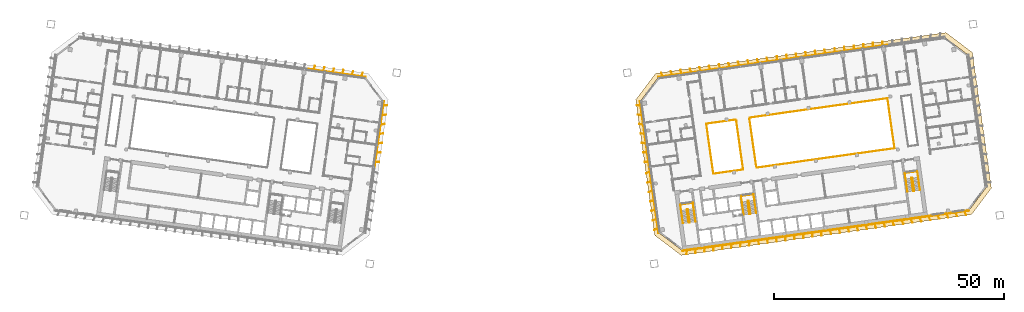
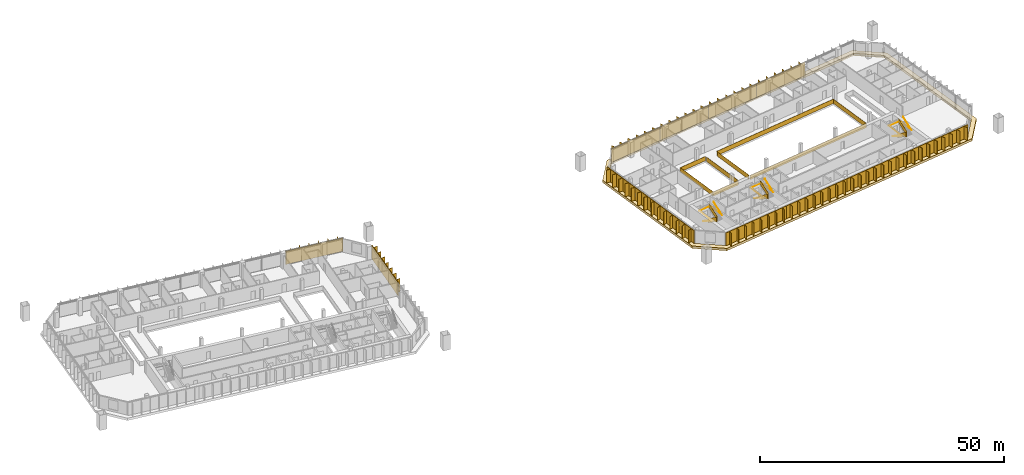
# One storey, part 25 of 26: 12 shading devices, 10 railings, 1 covering.
"""IFC4 building model written with IfcOpenShell, lengths in metres."""

from ifc_helpers import new_model, si_unit, direction, frame, origin, origin_2d, place, context, subcontext, project, spatial, polyline, rectangle, outline, extrude, material, layer, layer_set, type_object, element, save


model = new_model("IFC4")

# Units and contexts
model_context = context("Model", 3, precision=1e-05, world=origin(), true_north=direction((0.0, 1.0)))
body_context = subcontext(model_context, "Body", "Model", "MODEL_VIEW")
ifc_project = project(units=[si_unit("LENGTHUNIT", "METRE"), si_unit("AREAUNIT", "SQUARE_METRE"), si_unit("VOLUMEUNIT", "CUBIC_METRE"), si_unit("PLANEANGLEUNIT", "RADIAN"), si_unit("MASSUNIT", "GRAM", prefix="KILO")], contexts=[model_context])

# Site, building, storey
site_placement = place(None, origin())
site = spatial("IfcSite", under=ifc_project, at=site_placement, CompositionType="ELEMENT")
building_placement = place(site_placement, origin())
building = spatial("IfcBuilding", under=site, at=building_placement, Name="Mirante Cascada Hotel Towers", CompositionType="ELEMENT")
storey_placement = place(building_placement, frame((0.0, 0.0, 113.9)))
storey = spatial("IfcBuildingStorey", under=building, at=storey_placement, Name="L25", CompositionType="ELEMENT", Elevation=113.9)

# Railings
ifc_material_1 = material(Name="Toughened glass with stainless steel handrail", Category="steel")
railing_type_1 = type_object("IfcRailingType", Name="Atrium guard 1100 glass balustrade", PredefinedType="GUARDRAIL", material=ifc_material_1)
railing_1_placement = place(storey_placement, frame((48.76, 8.3112, 0.0)))
element("IfcRailing", 1, at=railing_1_placement, inside=storey, type_object=railing_type_1, Name="GUARD 2-L25-1", PredefinedType="GUARDRAIL", context=body_context, shape_type="SweptSolid", body=[
    extrude(rectangle(XDim=0.048, YDim=0.048, at=origin_2d()), frame((0.0, 0.0, 1.076), z_axis=(-0.9902694, -0.1391638, 0.0), x_axis=(0.1391638, -0.9902694, 0.0)), (0.0, 0.0, 1.0), 6.5125),
    extrude(rectangle(XDim=0.02, YDim=1.052, at=origin_2d()), frame((0.0, 0.0, 0.526), z_axis=(-0.9902694, -0.1391638, 0.0), x_axis=(0.1391638, -0.9902694, 0.0)), (0.0, 0.0, 1.0), 6.5125),
    extrude(rectangle(XDim=0.048, YDim=0.048, at=origin_2d()), frame((-6.4491, -0.9063, 1.076), z_axis=(0.1391721, -0.9902682, 0.0), x_axis=(0.9902682, 0.1391721, 0.0)), (0.0, 0.0, 1.0), 11.0001),
    extrude(rectangle(XDim=0.02, YDim=1.052, at=origin_2d()), frame((-6.4491, -0.9063, 0.526), z_axis=(0.1391721, -0.9902682, 0.0), x_axis=(0.9902682, 0.1391721, 0.0)), (0.0, 0.0, 1.0), 11.0001),
    extrude(rectangle(XDim=0.048, YDim=0.048, at=origin_2d()), frame((-4.9182, -11.7993, 1.076), z_axis=(0.9902673, 0.1391788, 0.0), x_axis=(-0.1391788, 0.9902673, 0.0)), (0.0, 0.0, 1.0), 6.5125),
    extrude(rectangle(XDim=0.02, YDim=1.052, at=origin_2d()), frame((-4.9182, -11.7993, 0.526), z_axis=(0.9902673, 0.1391788, 0.0), x_axis=(-0.1391788, 0.9902673, 0.0)), (0.0, 0.0, 1.0), 6.5125),
])
railing_2_placement = place(storey_placement, frame((53.2617, -2.1642, 0.0)))
element("IfcRailing", 2, at=railing_2_placement, inside=storey, type_object=railing_type_1, Name="GUARD 2-L25-2", PredefinedType="GUARDRAIL", context=body_context, shape_type="SweptSolid", body=[
    extrude(rectangle(XDim=0.048, YDim=0.048, at=origin_2d()), frame((0.0, 0.0, 1.076), z_axis=(0.9902682, 0.1391722, 0.0), x_axis=(-0.1391722, 0.9902682, 0.0)), (0.0, 0.0, 1.0), 30.325),
    extrude(rectangle(XDim=0.02, YDim=1.052, at=origin_2d()), frame((0.0, 0.0, 0.526), z_axis=(0.9902682, 0.1391722, 0.0), x_axis=(-0.1391722, 0.9902682, 0.0)), (0.0, 0.0, 1.0), 30.325),
    extrude(rectangle(XDim=0.048, YDim=0.048, at=origin_2d()), frame((30.0299, 4.2204, 1.076), z_axis=(-0.1391721, 0.9902682, 0.0), x_axis=(-0.9902682, -0.1391721, 0.0)), (0.0, 0.0, 1.0), 11.0001),
    extrude(rectangle(XDim=0.02, YDim=1.052, at=origin_2d()), frame((30.0299, 4.2204, 0.526), z_axis=(-0.1391721, 0.9902682, 0.0), x_axis=(-0.9902682, -0.1391721, 0.0)), (0.0, 0.0, 1.0), 11.0001),
    extrude(rectangle(XDim=0.048, YDim=0.048, at=origin_2d()), frame((28.499, 15.1134, 1.076), z_axis=(-0.9902682, -0.1391722, 0.0), x_axis=(0.1391722, -0.9902682, 0.0)), (0.0, 0.0, 1.0), 30.325),
    extrude(rectangle(XDim=0.02, YDim=1.052, at=origin_2d()), frame((28.499, 15.1134, 0.526), z_axis=(-0.9902682, -0.1391722, 0.0), x_axis=(0.1391722, -0.9902682, 0.0)), (0.0, 0.0, 1.0), 30.325),
])
railing_3_placement = place(storey_placement, frame((50.2983, -2.2822, 0.0)))
element("IfcRailing", 3, at=railing_3_placement, inside=storey, type_object=railing_type_1, Name="GUARD 2-L25-4", PredefinedType="GUARDRAIL", context=body_context, shape_type="SweptSolid", body=[
    extrude(rectangle(XDim=0.048, YDim=0.048, at=origin_2d()), frame((0.0, 0.0, 1.076), z_axis=(-0.1391708, 0.9902684, 0.0), x_axis=(-0.9902684, -0.1391708, 0.0)), (0.0, 0.0, 1.0), 10.4088),
    extrude(rectangle(XDim=0.02, YDim=1.052, at=origin_2d()), frame((0.0, 0.0, 0.526), z_axis=(-0.1391708, 0.9902684, 0.0), x_axis=(-0.9902684, -0.1391708, 0.0)), (0.0, 0.0, 1.0), 10.4088),
])
railing_4_placement = place(storey_placement, frame((51.7234, 8.4292, 0.0)))
element("IfcRailing", 4, at=railing_4_placement, inside=storey, type_object=railing_type_1, Name="GUARD 2-L25-5", PredefinedType="GUARDRAIL", context=body_context, shape_type="SweptSolid", body=[
    extrude(rectangle(XDim=0.048, YDim=0.048, at=origin_2d()), frame((0.0, 0.0, 1.076), z_axis=(0.1391721, -0.9902682, 0.0), x_axis=(0.9902682, 0.1391721, 0.0)), (0.0, 0.0, 1.0), 10.4087),
    extrude(rectangle(XDim=0.02, YDim=1.052, at=origin_2d()), frame((0.0, 0.0, 0.526), z_axis=(0.1391721, -0.9902682, 0.0), x_axis=(0.9902682, 0.1391721, 0.0)), (0.0, 0.0, 1.0), 10.4087),
])

# Covering
ifc_material_2 = material(Name="Precast concrete C40/50 white", Category="concrete")
ifc_layer = layer(ifc_material_2, 0.6)
ifc_layer_set = layer_set([ifc_layer], Name="Precast concrete SUNSHADE band 1000x600")
covering_type = type_object("IfcCoveringType", Name="Precast concrete SUNSHADE band 1000x600", PredefinedType="CLADDING", material=ifc_layer_set)
covering_placement = place(storey_placement, frame((0.0, 0.0, -0.45)))
element("IfcCovering", 5, at=covering_placement, inside=storey, type_object=covering_type, Name="Precast concrete SUNSHADE band T2 L25", PredefinedType="CLADDING", context=body_context, shape_type="SweptSolid", body=[
    extrude(outline(polyline([(26.9341, 12.6299), (31.2626, 18.374), (94.4698, 27.2572), (100.2139, 22.9287), (104.3652, -6.6094), (100.0367, -12.3535), (36.8295, -21.2367), (31.0854, -16.9082), (26.9341, 12.6299)]), holes=[polyline([(103.3173, -6.3384), (99.2813, 22.3794), (94.1988, 26.2093), (31.8119, 17.4414), (27.982, 12.3589), (32.018, -16.3589), (37.1005, -20.1888), (99.4874, -11.4209), (103.3173, -6.3384)])]), origin(), (0.0, 0.0, 1.0), 0.6),
])

# Railings
ifc_material_3 = material(Name="Painted steel", Category="steel")
railing_type_2 = type_object("IfcRailingType", Name="Stair guard 1100 steel balustrade", PredefinedType="GUARDRAIL", material=ifc_material_3)
railing_5_placement = place(storey_placement, frame((38.2663, -11.2395, 0.0)))
element("IfcRailing", 6, at=railing_5_placement, inside=storey, type_object=railing_type_2, Name="L25 ST2-A stair guard 1", PredefinedType="GUARDRAIL", context=body_context, shape_type="SweptSolid", body=[
    extrude(rectangle(XDim=0.048, YDim=0.048, at=origin_2d()), frame((0.0, 0.0, 1.076), z_axis=(-0.9903326, -0.1387133, 0.0), x_axis=(0.1387133, -0.9903326, 0.0)), (0.0, 0.0, 1.0), 0.1499),
    extrude(rectangle(XDim=0.02, YDim=1.052, at=origin_2d()), frame((0.0, 0.0, 0.526), z_axis=(-0.9903326, -0.1387133, 0.0), x_axis=(0.1387133, -0.9903326, 0.0)), (0.0, 0.0, 1.0), 0.1499),
    extrude(rectangle(XDim=0.048, YDim=0.048, at=origin_2d()), frame((-0.1485, -0.0208, 1.076), z_axis=(-0.6020331, -0.7984711, 0.0), x_axis=(0.7984711, -0.6020331, 0.0)), (0.0, 0.9253398, 0.3791387), 0.1866),
    extrude(rectangle(XDim=0.02, YDim=1.052, at=origin_2d()), frame((-0.1485, -0.0208, 0.526), z_axis=(-0.6020331, -0.7984711, 0.0), x_axis=(0.7984711, -0.6020331, 0.0)), (0.0, 0.9253398, 0.3791387), 0.1866),
    extrude(rectangle(XDim=0.048, YDim=0.048, at=origin_2d()), frame((-0.1911, -0.0773, 1.2487), z_axis=(0.139176, -0.9902677, 0.0), x_axis=(0.9902677, 0.139176, 0.0)), (0.0, 0.5250212, 0.8510891), 3.29),
    extrude(rectangle(XDim=0.02, YDim=1.052, at=origin_2d()), frame((-0.1911, -0.0773, 0.6987), z_axis=(0.139176, -0.9902677, 0.0), x_axis=(0.9902677, 0.139176, 0.0)), (0.0, 0.5250212, 0.8510891), 3.29),
    extrude(rectangle(XDim=0.048, YDim=0.048, at=origin_2d()), frame((0.1986, -2.8501, 2.976), z_axis=(0.9944948, -0.1047858, 0.0), x_axis=(0.1047858, 0.9944948, 0.0)), (0.0, 0.0, 1.0), 0.2061),
    extrude(rectangle(XDim=0.02, YDim=1.052, at=origin_2d()), frame((0.1986, -2.8501, 2.426), z_axis=(0.9944948, -0.1047858, 0.0), x_axis=(0.1047858, 0.9944948, 0.0)), (0.0, 0.0, 1.0), 0.2061),
    extrude(rectangle(XDim=0.048, YDim=0.048, at=origin_2d()), frame((0.4036, -2.8717, 2.976), z_axis=(-0.9902408, -0.1393672, 0.0), x_axis=(0.1393672, -0.9902408, 0.0)), (0.0, 0.0, 1.0), 0.15),
    extrude(rectangle(XDim=0.02, YDim=1.052, at=origin_2d()), frame((0.4036, -2.8717, 2.426), z_axis=(-0.9902408, -0.1393672, 0.0), x_axis=(0.1393672, -0.9902408, 0.0)), (0.0, 0.0, 1.0), 0.15),
    extrude(rectangle(XDim=0.048, YDim=0.048, at=origin_2d()), frame((0.2551, -2.8926, 2.976), z_axis=(0.9270311, 0.3749843, 0.0), x_axis=(-0.3749843, 0.9270311, 0.0)), (0.0, 0.6421903, 0.7665452), 0.2689),
    extrude(rectangle(XDim=0.02, YDim=1.052, at=origin_2d()), frame((0.2551, -2.8926, 2.426), z_axis=(0.9270311, 0.3749843, 0.0), x_axis=(-0.3749843, 0.9270311, 0.0)), (0.0, 0.6421903, 0.7665452), 0.2689),
    extrude(rectangle(XDim=0.048, YDim=0.048, at=origin_2d()), frame((0.4462, -2.8153, 3.1487), z_axis=(-0.139176, 0.9902677, 0.0), x_axis=(-0.9902677, -0.139176, 0.0)), (0.0, 0.5250212, 0.8510891), 3.29),
    extrude(rectangle(XDim=0.02, YDim=1.052, at=origin_2d()), frame((0.4462, -2.8153, 2.5987), z_axis=(-0.139176, 0.9902677, 0.0), x_axis=(-0.9902677, -0.139176, 0.0)), (0.0, 0.5250212, 0.8510891), 3.29),
])
railing_6_placement = place(storey_placement, frame((51.4864, -9.3815, 0.0)))
element("IfcRailing", 7, at=railing_6_placement, inside=storey, type_object=railing_type_2, Name="L25 ST2-B stair guard 1", PredefinedType="GUARDRAIL", context=body_context, shape_type="SweptSolid", body=[
    extrude(rectangle(XDim=0.048, YDim=0.048, at=origin_2d()), frame((0.0, 0.0, 1.076), z_axis=(-0.9902408, -0.1393672, 0.0), x_axis=(0.1393672, -0.9902408, 0.0)), (0.0, 0.0, 1.0), 0.15),
    extrude(rectangle(XDim=0.02, YDim=1.052, at=origin_2d()), frame((0.0, 0.0, 0.526), z_axis=(-0.9902408, -0.1393672, 0.0), x_axis=(0.1393672, -0.9902408, 0.0)), (0.0, 0.0, 1.0), 0.15),
    extrude(rectangle(XDim=0.048, YDim=0.048, at=origin_2d()), frame((-0.1485, -0.0209, 1.076), z_axis=(-0.6020331, -0.7984711, 0.0), x_axis=(0.7984711, -0.6020331, 0.0)), (0.0, 0.9253398, 0.3791387), 0.1866),
    extrude(rectangle(XDim=0.02, YDim=1.052, at=origin_2d()), frame((-0.1485, -0.0209, 0.526), z_axis=(-0.6020331, -0.7984711, 0.0), x_axis=(0.7984711, -0.6020331, 0.0)), (0.0, 0.9253398, 0.3791387), 0.1866),
    extrude(rectangle(XDim=0.048, YDim=0.048, at=origin_2d()), frame((-0.1911, -0.0774, 1.2487), z_axis=(0.139181, -0.990267, 0.0), x_axis=(0.990267, 0.139181, 0.0)), (0.0, 0.5250347, 0.8510808), 3.2899),
    extrude(rectangle(XDim=0.02, YDim=1.052, at=origin_2d()), frame((-0.1911, -0.0774, 0.6987), z_axis=(0.139181, -0.990267, 0.0), x_axis=(0.990267, 0.139181, 0.0)), (0.0, 0.5250347, 0.8510808), 3.2899),
    extrude(rectangle(XDim=0.048, YDim=0.048, at=origin_2d()), frame((0.1986, -2.8501, 2.976), z_axis=(0.9944441, -0.1052656, 0.0), x_axis=(0.1052656, 0.9944441, 0.0)), (0.0, 0.0, 1.0), 0.2061),
    extrude(rectangle(XDim=0.02, YDim=1.052, at=origin_2d()), frame((0.1986, -2.8501, 2.426), z_axis=(0.9944441, -0.1052656, 0.0), x_axis=(0.1052656, 0.9944441, 0.0)), (0.0, 0.0, 1.0), 0.2061),
    extrude(rectangle(XDim=0.048, YDim=0.048, at=origin_2d()), frame((0.4036, -2.8718, 2.976), z_axis=(-0.9902408, -0.1393672, 0.0), x_axis=(0.1393672, -0.9902408, 0.0)), (0.0, 0.0, 1.0), 0.15),
    extrude(rectangle(XDim=0.02, YDim=1.052, at=origin_2d()), frame((0.4036, -2.8718, 2.426), z_axis=(-0.9902408, -0.1393672, 0.0), x_axis=(0.1393672, -0.9902408, 0.0)), (0.0, 0.0, 1.0), 0.15),
    extrude(rectangle(XDim=0.048, YDim=0.048, at=origin_2d()), frame((0.2551, -2.8927, 2.976), z_axis=(0.9268624, 0.3754011, 0.0), x_axis=(-0.3754011, 0.9268624, 0.0)), (0.0, 0.6421217, 0.7666028), 0.269),
    extrude(rectangle(XDim=0.02, YDim=1.052, at=origin_2d()), frame((0.2551, -2.8927, 2.426), z_axis=(0.9268624, 0.3754011, 0.0), x_axis=(-0.3754011, 0.9268624, 0.0)), (0.0, 0.6421217, 0.7666028), 0.269),
    extrude(rectangle(XDim=0.048, YDim=0.048, at=origin_2d()), frame((0.4462, -2.8153, 3.1487), z_axis=(-0.139181, 0.990267, 0.0), x_axis=(-0.990267, -0.139181, 0.0)), (0.0, 0.5250347, 0.8510808), 3.2899),
    extrude(rectangle(XDim=0.02, YDim=1.052, at=origin_2d()), frame((0.4462, -2.8153, 2.5987), z_axis=(-0.139181, 0.990267, 0.0), x_axis=(-0.990267, -0.139181, 0.0)), (0.0, 0.5250347, 0.8510808), 3.2899),
])
railing_7_placement = place(storey_placement, frame((87.1361, -4.3713, 0.0)))
element("IfcRailing", 8, at=railing_7_placement, inside=storey, type_object=railing_type_2, Name="L25 ST2-C stair guard 1", PredefinedType="GUARDRAIL", context=body_context, shape_type="SweptSolid", body=[
    extrude(rectangle(XDim=0.048, YDim=0.048, at=origin_2d()), frame((0.0, 0.0, 1.076), z_axis=(-0.9902537, -0.1392753, 0.0), x_axis=(0.1392753, -0.9902537, 0.0)), (0.0, 0.0, 1.0), 0.1501),
    extrude(rectangle(XDim=0.02, YDim=1.052, at=origin_2d()), frame((0.0, 0.0, 0.526), z_axis=(-0.9902537, -0.1392753, 0.0), x_axis=(0.1392753, -0.9902537, 0.0)), (0.0, 0.0, 1.0), 0.1501),
    extrude(rectangle(XDim=0.048, YDim=0.048, at=origin_2d()), frame((-0.1486, -0.0209, 1.076), z_axis=(-0.601811, -0.7986386, 0.0), x_axis=(0.7986386, -0.601811, 0.0)), (0.0, 0.925603, 0.3784959), 0.1866),
    extrude(rectangle(XDim=0.02, YDim=1.052, at=origin_2d()), frame((-0.1486, -0.0209, 0.526), z_axis=(-0.601811, -0.7986386, 0.0), x_axis=(0.7986386, -0.601811, 0.0)), (0.0, 0.925603, 0.3784959), 0.1866),
    extrude(rectangle(XDim=0.048, YDim=0.048, at=origin_2d()), frame((-0.1911, -0.0773, 1.2487), z_axis=(0.139176, -0.9902677, 0.0), x_axis=(0.9902677, 0.139176, 0.0)), (0.0, 0.5250212, 0.8510891), 3.29),
    extrude(rectangle(XDim=0.02, YDim=1.052, at=origin_2d()), frame((-0.1911, -0.0773, 0.6987), z_axis=(0.139176, -0.9902677, 0.0), x_axis=(0.9902677, 0.139176, 0.0)), (0.0, 0.5250212, 0.8510891), 3.29),
    extrude(rectangle(XDim=0.048, YDim=0.048, at=origin_2d()), frame((0.1986, -2.8501, 2.976), z_axis=(0.9944441, -0.1052656, 0.0), x_axis=(0.1052656, 0.9944441, 0.0)), (0.0, 0.0, 1.0), 0.2061),
    extrude(rectangle(XDim=0.02, YDim=1.052, at=origin_2d()), frame((0.1986, -2.8501, 2.426), z_axis=(0.9944441, -0.1052656, 0.0), x_axis=(0.1052656, 0.9944441, 0.0)), (0.0, 0.0, 1.0), 0.2061),
    extrude(rectangle(XDim=0.048, YDim=0.048, at=origin_2d()), frame((0.4036, -2.8718, 2.976), z_axis=(-0.9903454, -0.1386217, 0.0), x_axis=(0.1386217, -0.9903454, 0.0)), (0.0, 0.0, 1.0), 0.15),
    extrude(rectangle(XDim=0.02, YDim=1.052, at=origin_2d()), frame((0.4036, -2.8718, 2.426), z_axis=(-0.9903454, -0.1386217, 0.0), x_axis=(0.1386217, -0.9903454, 0.0)), (0.0, 0.0, 1.0), 0.15),
    extrude(rectangle(XDim=0.048, YDim=0.048, at=origin_2d()), frame((0.255, -2.8926, 2.976), z_axis=(0.9270311, 0.3749843, 0.0), x_axis=(-0.3749843, 0.9270311, 0.0)), (0.0, 0.6421903, 0.7665452), 0.2689),
    extrude(rectangle(XDim=0.02, YDim=1.052, at=origin_2d()), frame((0.255, -2.8926, 2.426), z_axis=(0.9270311, 0.3749843, 0.0), x_axis=(-0.3749843, 0.9270311, 0.0)), (0.0, 0.6421903, 0.7665452), 0.2689),
    extrude(rectangle(XDim=0.048, YDim=0.048, at=origin_2d()), frame((0.4461, -2.8153, 3.1487), z_axis=(-0.139176, 0.9902677, 0.0), x_axis=(-0.9902677, -0.139176, 0.0)), (0.0, 0.5250212, 0.8510891), 3.29),
    extrude(rectangle(XDim=0.02, YDim=1.052, at=origin_2d()), frame((0.4461, -2.8153, 2.5987), z_axis=(-0.139176, 0.9902677, 0.0), x_axis=(-0.9902677, -0.139176, 0.0)), (0.0, 0.5250212, 0.8510891), 3.29),
])
ifc_material_4 = material(Name="Painted steel", Category="steel")
railing_type_3 = type_object("IfcRailingType", Name="Stair handrail 900 steel tube", PredefinedType="HANDRAIL", material=ifc_material_4)
railing_8_placement = place(storey_placement, frame((36.8374, -11.4908, 0.1727)))
element("IfcRailing", 9, at=railing_8_placement, inside=storey, type_object=railing_type_3, Name="L25 ST2-A stair handrail 1", PredefinedType="HANDRAIL", context=body_context, shape_type="SweptSolid", body=[
    extrude(rectangle(XDim=0.048, YDim=0.048, at=origin_2d()), frame((0.0, 0.0, 0.876), z_axis=(0.139181, -0.990267, 0.0), x_axis=(0.990267, 0.139181, 0.0)), (0.0, 0.5250347, 0.8510808), 3.2899),
    extrude(rectangle(XDim=0.048, YDim=0.048, at=origin_2d()), frame((0.3897, -2.7727, 2.6033), z_axis=(-0.1391707, 0.9902684, 0.0), x_axis=(-0.9902684, -0.1391707, 0.0)), (0.0, 0.0420846, 0.999114), 4.1036),
    extrude(rectangle(XDim=0.048, YDim=0.048, at=origin_2d()), frame((-0.1809, 1.2874, 2.776), z_axis=(0.9902691, 0.1391657, 0.0), x_axis=(-0.1391657, 0.9902691, 0.0)), (0.0, 0.0, 1.0), 2.75),
    extrude(rectangle(XDim=0.048, YDim=0.048, at=origin_2d()), frame((2.5423, 1.6701, 2.776), z_axis=(0.1391707, -0.9902684, 0.0), x_axis=(0.9902684, 0.1391707, 0.0)), (0.0, 0.0, 1.0), 4.1),
    extrude(rectangle(XDim=0.048, YDim=0.048, at=origin_2d()), frame((3.1129, -2.39, 2.776), z_axis=(-0.139181, 0.990267, 0.0), x_axis=(-0.990267, -0.139181, 0.0)), (0.0, 0.5250347, 0.8510808), 3.2899),
])
railing_9_placement = place(storey_placement, frame((50.0575, -9.6328, 0.1727)))
element("IfcRailing", 10, at=railing_9_placement, inside=storey, type_object=railing_type_3, Name="L25 ST2-B stair handrail 1", PredefinedType="HANDRAIL", context=body_context, shape_type="SweptSolid", body=[
    extrude(rectangle(XDim=0.048, YDim=0.048, at=origin_2d()), frame((0.0, 0.0, 0.876), z_axis=(0.139176, -0.9902677, 0.0), x_axis=(0.9902677, 0.139176, 0.0)), (0.0, 0.5250212, 0.8510891), 3.29),
    extrude(rectangle(XDim=0.048, YDim=0.048, at=origin_2d()), frame((0.3897, -2.7728, 2.6033), z_axis=(-0.1391707, 0.9902684, 0.0), x_axis=(-0.9902684, -0.1391707, 0.0)), (0.0, 0.0420846, 0.999114), 4.1036),
    extrude(rectangle(XDim=0.048, YDim=0.048, at=origin_2d()), frame((-0.1809, 1.2873, 2.776), z_axis=(0.9902641, 0.1392013, 0.0), x_axis=(-0.1392013, 0.9902641, 0.0)), (0.0, 0.0, 1.0), 2.75),
    extrude(rectangle(XDim=0.048, YDim=0.048, at=origin_2d()), frame((2.5423, 1.6701, 2.776), z_axis=(0.1391707, -0.9902684, 0.0), x_axis=(0.9902684, 0.1391707, 0.0)), (0.0, 0.0, 1.0), 4.1),
    extrude(rectangle(XDim=0.048, YDim=0.048, at=origin_2d()), frame((3.1129, -2.39, 2.776), z_axis=(-0.139181, 0.990267, 0.0), x_axis=(-0.990267, -0.139181, 0.0)), (0.0, 0.5250347, 0.8510808), 3.2899),
])
railing_10_placement = place(storey_placement, frame((85.7071, -4.6226, 0.1727)))
element("IfcRailing", 11, at=railing_10_placement, inside=storey, type_object=railing_type_3, Name="L25 ST2-C stair handrail 1", PredefinedType="HANDRAIL", context=body_context, shape_type="SweptSolid", body=[
    extrude(rectangle(XDim=0.048, YDim=0.048, at=origin_2d()), frame((0.0, 0.0, 0.876), z_axis=(0.139181, -0.990267, 0.0), x_axis=(0.990267, 0.139181, 0.0)), (0.0, 0.5250347, 0.8510808), 3.2899),
    extrude(rectangle(XDim=0.048, YDim=0.048, at=origin_2d()), frame((0.3897, -2.7727, 2.6033), z_axis=(-0.1391707, 0.9902684, 0.0), x_axis=(-0.9902684, -0.1391707, 0.0)), (0.0, 0.0420846, 0.999114), 4.1036),
    extrude(rectangle(XDim=0.048, YDim=0.048, at=origin_2d()), frame((-0.1809, 1.2874, 2.776), z_axis=(0.9902691, 0.1391657, 0.0), x_axis=(-0.1391657, 0.9902691, 0.0)), (0.0, 0.0, 1.0), 2.75),
    extrude(rectangle(XDim=0.048, YDim=0.048, at=origin_2d()), frame((2.5423, 1.6701, 2.776), z_axis=(0.1391947, -0.990265, 0.0), x_axis=(0.990265, 0.1391947, 0.0)), (0.0, 0.0, 1.0), 4.1),
    extrude(rectangle(XDim=0.048, YDim=0.048, at=origin_2d()), frame((3.113, -2.39, 2.776), z_axis=(-0.139181, 0.990267, 0.0), x_axis=(-0.990267, -0.139181, 0.0)), (0.0, 0.5250347, 0.8510808), 3.2899),
])

# Shading devices
ifc_material_5 = material(Name="White precast concrete C50/60 fin", Category="concrete")
shading_device_type = type_object("IfcShadingDeviceType", Name="Vertical fin set 4500x900", PredefinedType="USERDEFINED", material=ifc_material_5)
shading_device_1_placement = place(storey_placement, origin())
element("IfcShadingDevice", 12, at=shading_device_1_placement, inside=storey, type_object=shading_device_type, Name="FIN T1 L25 front 5", ObjectType="FIN", PredefinedType="USERDEFINED", context=body_context, shape_type="SweptSolid", body=[
    extrude(outline(polyline([(-32.4493, 18.4994), (-32.7765, 17.7284), (-31.791, 17.5899), (-31.8119, 17.4414), (-44.2893, 19.195), (-44.2684, 19.3435), (-43.2564, 19.2013), (-42.9208, 19.9919), (-42.8471, 19.9607), (-43.1744, 19.1897), (-41.1768, 18.909), (-40.8412, 19.6997), (-40.7676, 19.6684), (-41.0948, 18.8975), (-39.0973, 18.6167), (-38.7616, 19.4074), (-38.688, 19.3761), (-39.0152, 18.6052), (-37.0177, 18.3245), (-36.6821, 19.1151), (-36.6084, 19.0839), (-36.9357, 18.3129), (-34.9381, 18.0322), (-34.6025, 18.8229), (-34.5289, 18.7916), (-34.8561, 18.0207), (-32.8586, 17.7399), (-32.5229, 18.5306), (-32.4493, 18.4994)])), origin(), (0.0, 0.0, 1.0), 3.35),
])
shading_device_2_placement = place(storey_placement, origin())
element("IfcShadingDevice", 13, at=shading_device_2_placement, inside=storey, type_object=shading_device_type, Name="FIN T1 L25 inner 1", ObjectType="FIN", PredefinedType="USERDEFINED", context=body_context, shape_type="SweptSolid", body=[
    extrude(outline(polyline([(-29.7112, -1.023), (-29.8515, -2.0209), (-30.0, -2.0), (-27.982, 12.3589), (-27.8334, 12.338), (-27.97, 11.3667), (-27.1387, 11.4687), (-27.1289, 11.3893), (-27.9815, 11.2846), (-28.2583, 9.3154), (-27.427, 9.4174), (-27.4172, 9.338), (-28.2698, 9.2334), (-28.5465, 7.2641), (-27.7153, 7.3662), (-27.7055, 7.2868), (-28.5581, 7.1821), (-28.8348, 5.2128), (-28.0036, 5.3149), (-27.9938, 5.2355), (-28.8464, 5.1308), (-29.1231, 3.1616), (-28.2918, 3.2636), (-28.2821, 3.1842), (-29.1346, 3.0796), (-29.4114, 1.1103), (-28.5801, 1.2124), (-28.5704, 1.133), (-29.4229, 1.0283), (-29.6997, -0.941), (-28.8684, -0.8389), (-28.8587, -0.9183), (-29.7112, -1.023)])), origin(), (0.0, 0.0, 1.0), 3.35),
])
shading_device_3_placement = place(storey_placement, origin())
element("IfcShadingDevice", 14, at=shading_device_3_placement, inside=storey, type_object=shading_device_type, Name="FIN T2 L25 front 2", ObjectType="FIN", PredefinedType="USERDEFINED", context=body_context, shape_type="SweptSolid", body=[
    extrude(outline(polyline([(70.3021, 23.8476), (70.3094, 23.0033), (72.3091, 23.2844), (72.3016, 24.1392), (72.3816, 24.1399), (72.389, 23.2956), (74.3886, 23.5766), (74.3812, 24.4314), (74.4612, 24.4321), (74.4686, 23.5878), (76.4682, 23.8689), (76.4608, 24.7237), (76.5407, 24.7244), (76.5481, 23.8801), (78.5478, 24.1611), (78.5403, 25.0159), (78.6203, 25.0166), (78.6277, 24.1724), (80.6273, 24.4534), (80.6199, 25.3082), (80.6999, 25.3089), (80.7072, 24.4646), (81.7006, 24.6042), (81.7214, 24.4557), (69.2441, 22.7021), (69.2232, 22.8507), (70.2295, 22.9921), (70.2221, 23.8469), (70.3021, 23.8476)])), origin(), (0.0, 0.0, 1.0), 3.35),
])
shading_device_4_placement = place(storey_placement, origin())
element("IfcShadingDevice", 15, at=shading_device_4_placement, inside=storey, type_object=shading_device_type, Name="FIN T2 L25 front 3", ObjectType="FIN", PredefinedType="USERDEFINED", context=body_context, shape_type="SweptSolid", body=[
    extrude(outline(polyline([(57.7069, 22.0905), (57.8252, 21.2488), (59.8255, 21.5299), (59.7072, 22.3716), (59.7865, 22.3828), (59.9048, 21.541), (61.9051, 21.8222), (61.7868, 22.6639), (61.866, 22.675), (61.9843, 21.8333), (63.9847, 22.1144), (63.8664, 22.9562), (63.9456, 22.9673), (64.0639, 22.1256), (66.0642, 22.4067), (65.9459, 23.2484), (66.0251, 23.2596), (66.1434, 22.4178), (68.1438, 22.699), (68.0255, 23.5407), (68.1047, 23.5518), (68.223, 22.7101), (69.2232, 22.8507), (69.2441, 22.7021), (56.7667, 20.9485), (56.7458, 21.0971), (57.746, 21.2376), (57.6277, 22.0794), (57.7069, 22.0905)])), origin(), (0.0, 0.0, 1.0), 3.35),
])
shading_device_5_placement = place(storey_placement, origin())
element("IfcShadingDevice", 16, at=shading_device_5_placement, inside=storey, type_object=shading_device_type, Name="FIN T2 L25 front 4", ObjectType="FIN", PredefinedType="USERDEFINED", context=body_context, shape_type="SweptSolid", body=[
    extrude(outline(polyline([(45.1132, 20.3181), (45.3416, 19.4943), (47.3413, 19.7754), (47.1157, 20.589), (47.1928, 20.6103), (47.4212, 19.7866), (49.4209, 20.0676), (49.1952, 20.8812), (49.2723, 20.9026), (49.5008, 20.0789), (51.5004, 20.3599), (51.2748, 21.1735), (51.3519, 21.1949), (51.5803, 20.3711), (53.58, 20.6521), (53.3544, 21.4657), (53.4314, 21.4871), (53.6599, 20.6634), (55.6595, 20.9444), (55.4339, 21.758), (55.511, 21.7794), (55.7394, 20.9556), (56.7458, 21.0971), (56.7667, 20.9485), (44.2893, 19.195), (44.2684, 19.3435), (45.2617, 19.4831), (45.0361, 20.2967), (45.1132, 20.3181)])), origin(), (0.0, 0.0, 1.0), 3.35),
])
shading_device_6_placement = place(storey_placement, origin())
element("IfcShadingDevice", 17, at=shading_device_6_placement, inside=storey, type_object=shading_device_type, Name="FIN T2 L25 front 5", ObjectType="FIN", PredefinedType="USERDEFINED", context=body_context, shape_type="SweptSolid", body=[
    extrude(outline(polyline([(32.5229, 18.5306), (32.8586, 17.7399), (34.8561, 18.0207), (34.5289, 18.7916), (34.6025, 18.8229), (34.9381, 18.0322), (36.9357, 18.3129), (36.6084, 19.0839), (36.6821, 19.1151), (37.0177, 18.3245), (39.0152, 18.6052), (38.688, 19.3761), (38.7616, 19.4074), (39.0973, 18.6167), (41.0948, 18.8975), (40.7676, 19.6684), (40.8412, 19.6997), (41.1768, 18.909), (43.1744, 19.1897), (42.8471, 19.9607), (42.9208, 19.9919), (43.2564, 19.2013), (44.2684, 19.3435), (44.2893, 19.195), (31.8119, 17.4414), (31.791, 17.5899), (32.7765, 17.7284), (32.4493, 18.4994), (32.5229, 18.5306)])), origin(), (0.0, 0.0, 1.0), 3.35),
])
shading_device_7_placement = place(storey_placement, origin())
element("IfcShadingDevice", 18, at=shading_device_7_placement, inside=storey, type_object=shading_device_type, Name="FIN T2 L25 inner 1", ObjectType="FIN", PredefinedType="USERDEFINED", context=body_context, shape_type="SweptSolid", body=[
    extrude(outline(polyline([(28.8684, -0.8389), (29.6997, -0.941), (29.4229, 1.0283), (28.5704, 1.133), (28.5801, 1.2124), (29.4114, 1.1103), (29.1346, 3.0796), (28.2821, 3.1842), (28.2918, 3.2636), (29.1231, 3.1616), (28.8464, 5.1308), (27.9938, 5.2355), (28.0036, 5.3149), (28.8348, 5.2128), (28.5581, 7.1821), (27.7055, 7.2868), (27.7153, 7.3662), (28.5465, 7.2641), (28.2698, 9.2334), (27.4172, 9.338), (27.427, 9.4174), (28.2583, 9.3154), (27.9815, 11.2846), (27.1289, 11.3893), (27.1387, 11.4687), (27.97, 11.3667), (27.8334, 12.338), (27.982, 12.3589), (30.0, -2.0), (29.8515, -2.0209), (29.7112, -1.023), (28.8587, -0.9183), (28.8684, -0.8389)])), origin(), (0.0, 0.0, 1.0), 3.35),
])
shading_device_8_placement = place(storey_placement, origin())
element("IfcShadingDevice", 19, at=shading_device_8_placement, inside=storey, type_object=shading_device_type, Name="FIN T2 L25 inner 2", ObjectType="FIN", PredefinedType="USERDEFINED", context=body_context, shape_type="SweptSolid", body=[
    extrude(outline(polyline([(30.9308, -15.662), (31.7214, -15.3264), (31.4447, -13.3571), (30.6737, -13.6844), (30.6425, -13.6107), (31.4331, -13.2751), (31.1564, -11.3059), (30.3854, -11.6331), (30.3542, -11.5595), (31.1449, -11.2238), (30.8681, -9.2546), (30.0972, -9.5818), (30.0659, -9.5082), (30.8566, -9.1726), (30.5798, -7.2033), (29.8089, -7.5306), (29.7776, -7.4569), (30.5683, -7.1213), (30.2915, -5.1521), (29.5206, -5.4793), (29.4893, -5.4057), (30.28, -5.07), (30.0032, -3.1008), (29.2323, -3.428), (29.201, -3.3544), (29.9917, -3.0188), (29.8515, -2.0209), (30.0, -2.0), (32.018, -16.3589), (31.8695, -16.3798), (31.733, -15.4084), (30.962, -15.7356), (30.9308, -15.662)])), origin(), (0.0, 0.0, 1.0), 3.35),
])
shading_device_9_placement = place(storey_placement, origin())
element("IfcShadingDevice", 20, at=shading_device_9_placement, inside=storey, type_object=shading_device_type, Name="FIN T2 L25 rear 1", ObjectType="FIN", PredefinedType="USERDEFINED", context=body_context, shape_type="SweptSolid", body=[
    extrude(outline(polyline([(37.9398, -21.0393), (38.0419, -20.208), (37.1214, -20.3374), (37.1005, -20.1888), (52.6972, -17.9968), (52.7181, -18.1454), (51.771, -18.2785), (51.6664, -19.131), (51.587, -19.1213), (51.689, -18.29), (49.8214, -18.5525), (49.7168, -19.405), (49.6374, -19.3953), (49.7394, -18.564), (47.8719, -18.8265), (47.7672, -19.679), (47.6878, -19.6693), (47.7898, -18.838), (45.9223, -19.1005), (45.8176, -19.953), (45.7382, -19.9433), (45.8403, -19.112), (43.9727, -19.3745), (43.868, -20.227), (43.7886, -20.2173), (43.8907, -19.386), (42.0231, -19.6485), (41.9184, -20.501), (41.839, -20.4913), (41.9411, -19.66), (40.0735, -19.9225), (39.9688, -20.775), (39.8894, -20.7653), (39.9915, -19.934), (38.1239, -20.1965), (38.0192, -21.049), (37.9398, -21.0393)])), origin(), (0.0, 0.0, 1.0), 3.35),
])
shading_device_10_placement = place(storey_placement, origin())
element("IfcShadingDevice", 21, at=shading_device_10_placement, inside=storey, type_object=shading_device_type, Name="FIN T2 L25 rear 2", ObjectType="FIN", PredefinedType="USERDEFINED", context=body_context, shape_type="SweptSolid", body=[
    extrude(outline(polyline([(53.6931, -18.8597), (53.6488, -18.0146), (52.7181, -18.1454), (52.6972, -17.9968), (68.2939, -15.8049), (68.3148, -15.9534), (67.3755, -16.0854), (67.4201, -16.9376), (67.3402, -16.9417), (67.2959, -16.0966), (65.4259, -16.3594), (65.4705, -17.2116), (65.3906, -17.2157), (65.3463, -16.3706), (63.4763, -16.6334), (63.5209, -17.4856), (63.441, -17.4897), (63.3967, -16.6446), (61.5267, -16.9074), (61.5713, -17.7596), (61.4914, -17.7637), (61.4472, -16.9186), (59.5771, -17.1814), (59.6217, -18.0335), (59.5419, -18.0377), (59.4976, -17.1926), (57.6275, -17.4554), (57.6722, -18.3075), (57.5923, -18.3117), (57.548, -17.4666), (55.6779, -17.7294), (55.7226, -18.5815), (55.6427, -18.5857), (55.5984, -17.7406), (53.7283, -18.0034), (53.773, -18.8555), (53.6931, -18.8597)])), origin(), (0.0, 0.0, 1.0), 3.35),
])
shading_device_11_placement = place(storey_placement, origin())
element("IfcShadingDevice", 22, at=shading_device_11_placement, inside=storey, type_object=shading_device_type, Name="FIN T2 L25 rear 3", ObjectType="FIN", PredefinedType="USERDEFINED", context=body_context, shape_type="SweptSolid", body=[
    extrude(outline(polyline([(69.4461, -16.6528), (69.2542, -15.8214), (68.3148, -15.9534), (68.2939, -15.8049), (83.8907, -13.6129), (83.9115, -13.7614), (82.9808, -13.8922), (83.1712, -14.7168), (83.0933, -14.7348), (82.9013, -13.9034), (81.0312, -14.1662), (81.2216, -14.9908), (81.1437, -15.0088), (80.9517, -14.1774), (79.0817, -14.4402), (79.272, -15.2648), (79.1941, -15.2828), (79.0021, -14.4514), (77.1321, -14.7142), (77.3224, -15.5388), (77.2445, -15.5568), (77.0525, -14.7254), (75.1825, -14.9882), (75.3729, -15.8128), (75.2949, -15.8308), (75.103, -14.9994), (73.2329, -15.2622), (73.4233, -16.0868), (73.3453, -16.1048), (73.1534, -15.2734), (71.2833, -15.5362), (71.4737, -16.3608), (71.3957, -16.3788), (71.2038, -15.5474), (69.3337, -15.8102), (69.5241, -16.6348), (69.4461, -16.6528)])), origin(), (0.0, 0.0, 1.0), 3.35),
])
shading_device_12_placement = place(storey_placement, origin())
element("IfcShadingDevice", 23, at=shading_device_12_placement, inside=storey, type_object=shading_device_type, Name="FIN T2 L25 rear 4", ObjectType="FIN", PredefinedType="USERDEFINED", context=body_context, shape_type="SweptSolid", body=[
    extrude(outline(polyline([(85.1942, -14.419), (84.8586, -13.6283), (83.9115, -13.7614), (83.8907, -13.6129), (99.4874, -11.4209), (99.5083, -11.5694), (98.5877, -11.6988), (98.915, -12.4698), (98.8413, -12.501), (98.5057, -11.7103), (96.6381, -11.9728), (96.9654, -12.7438), (96.8918, -12.775), (96.5561, -11.9843), (94.6886, -12.2468), (95.0158, -13.0178), (94.9422, -13.049), (94.6065, -12.2583), (92.739, -12.5208), (93.0662, -13.2918), (92.9926, -13.323), (92.657, -12.5323), (90.7894, -12.7948), (91.1166, -13.5657), (91.043, -13.597), (90.7074, -12.8063), (88.8398, -13.0688), (89.167, -13.8397), (89.0934, -13.871), (88.7578, -13.0803), (86.8902, -13.3428), (87.2174, -14.1137), (87.1438, -14.145), (86.8082, -13.3543), (84.9406, -13.6168), (85.2679, -14.3877), (85.1942, -14.419)])), origin(), (0.0, 0.0, 1.0), 3.35),
])

save(model, "model.ifc")
